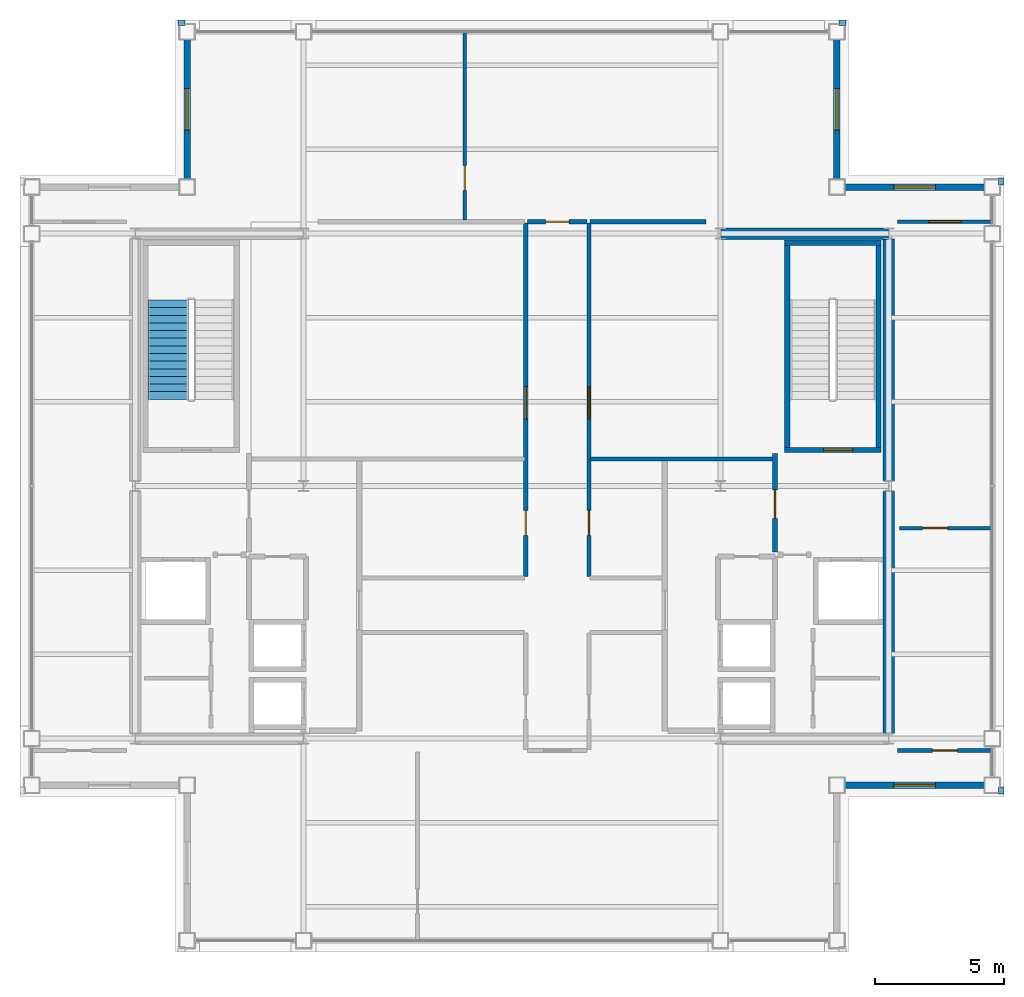
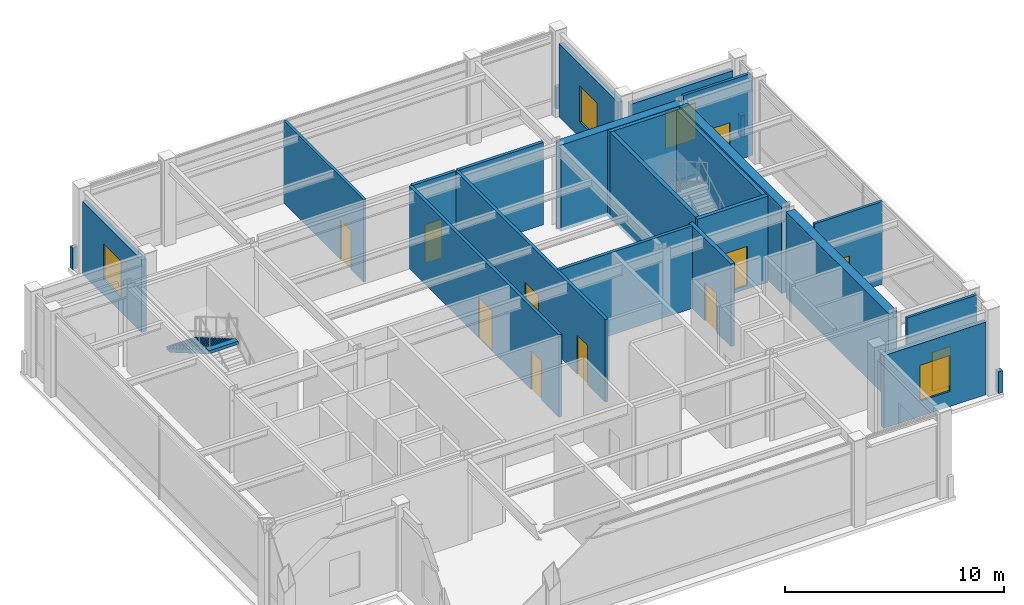
# One storey, part 19 of 21: 25 walls, 11 doors, 4 windows, 1 stair flight, 15 openings, 1 element without a shape of its own.
"""IFC4 building model written with IfcOpenShell, lengths in metres."""

from ifc_helpers import new_model, si_unit, direction, frame, frame_2d, origin, place, context, subcontext, project, spatial, polyline, rectangle, outline, extrude, material, layer, layer_set, type_object, element, fill, aggregate, save


model = new_model("IFC4")

# Units and contexts
model_context = context("Model", 3, precision=1e-05, world=origin(), true_north=direction((0.0, 1.0)))
body_context = subcontext(model_context, "Body", "Model", "MODEL_VIEW")
ifc_project = project(units=[si_unit("LENGTHUNIT", "METRE"), si_unit("AREAUNIT", "SQUARE_METRE"), si_unit("VOLUMEUNIT", "CUBIC_METRE"), si_unit("PLANEANGLEUNIT", "RADIAN"), si_unit("MASSUNIT", "GRAM", prefix="KILO")], contexts=[model_context])

# Site, building, storey
site_placement = place(None, origin())
site = spatial("IfcSite", under=ifc_project, at=site_placement, CompositionType="ELEMENT")
building_placement = place(site_placement, origin())
building = spatial("IfcBuilding", under=site, at=building_placement, Name="Brelmoor Portico Tower", CompositionType="ELEMENT")
storey_placement = place(building_placement, frame((0.0, 0.0, 284.39990234375)))
storey = spatial("IfcBuildingStorey", under=building, at=storey_placement, Name="L75", CompositionType="ELEMENT", Elevation=284.39990234375)

# Walls
ifc_material_1 = material(Name="Concrete C50", Category="concrete")
ifc_layer_1 = layer(ifc_material_1, 0.449951171875)
ifc_layer_set_1 = layer_set([ifc_layer_1], Name="Concrete C50")
wall_type_1 = type_object("IfcWallType", Name="WL-CORE-450", PredefinedType="SHEAR", material=ifc_layer_set_1)
wall_1_placement = place(storey_placement, frame((8.070068359375, 9.75, -0.199951171875), z_axis=(0.0, 0.0, 1.0), x_axis=(1.0, 0.0, 0.0)))
element("IfcWall", 1, at=wall_1_placement, inside=storey, type_object=wall_type_1, Name="L75 EC North Shear Wall", PredefinedType="SHEAR", context=body_context, shape_type="SweptSolid", body=[
    extrude(rectangle(XDim=6.4599609375, YDim=0.449951171875, at=frame_2d((3.22998046875, 0.0))), origin(), (0.0, 0.0, 1.0), 4.800048828125),
])
for number, where, z_axis, x_axis, name in (
    (2, (14.550048828125, -9.550048828125, -0.199951171875), (0.0, 0.0, 1.0), (0.0, 1.0, 0.0), "L75 EC Outer South Shear Wall"),
    (3, (14.550048828125, 0.199951171875, -0.199951171875), (0.0, 0.0, 1.0), (0.0, 1.0, 0.0), "L75 EC Outer North Shear Wall"),
):
    element("IfcWall", number, at=place(storey_placement, frame(where, z_axis=z_axis, x_axis=x_axis)), inside=storey, type_object=wall_type_1, Name=name, PredefinedType="SHEAR", context=body_context, shape_type="SweptSolid", body=[
        extrude(rectangle(XDim=9.35009765625, YDim=0.449951171875, at=frame_2d((4.675048828125, 0.0))), origin(), (0.0, 0.0, 1.0), 4.800048828125),
    ])

# Wall, opening, window
ifc_material_2 = material(Name="Precast Concrete C40 Insulated Facade Wall", Category="concrete")
ifc_layer_2 = layer(ifc_material_2, 0.25)
ifc_layer_set_2 = layer_set([ifc_layer_2], Name="Precast Concrete C40 Insulated Facade Wall")
wall_type_2 = type_object("IfcWallType", Name="WL-EXT-250", PredefinedType="STANDARD", material=ifc_layer_set_2)
wall_2_placement = place(storey_placement, frame((12.860107421875, -11.550048828125, 0.0), z_axis=(0.0, 0.0, 1.0), x_axis=(1.0, 0.0, 0.0)))
wall_2 = element("IfcWall", 4, at=wall_2_placement, inside=storey, type_object=wall_type_2, Name="L75 Corner Notch Facade Wall NSEH1", PredefinedType="STANDARD", context=body_context, shape_type="SweptSolid", body=[
    extrude(rectangle(XDim=5.3798828125, YDim=0.25, at=frame_2d((2.68994140625, 0.0))), origin(), (0.0, 0.0, 1.0), 4.050048828125),
])
opening_1_placement = place(wall_2_placement, frame((1.889892578125, 0.0, 0.85009765625)))
opening_1 = element("IfcOpeningElement", 5, at=opening_1_placement, cuts=wall_2, Name="Opening W-01", PredefinedType="OPENING", context=body_context, shape_type="SweptSolid", body=[
    extrude(rectangle(XDim=1.60009765625, YDim=2.0, at=frame_2d((0.800048828125, 1.0))), frame((0.0, 0.135009765625, 0.0), z_axis=(0.0, -1.0, 0.0), x_axis=(1.0, 0.0, 0.0)), (0.0, 0.0, 1.0), 0.27001953125),
])
ifc_material_3 = material(Name="Thermally Broken Aluminium Low-E Window", Category="aluminium")
window_type = type_object("IfcWindowType", Name="WN-NOTCH-1600x2000", PartitioningType="SINGLE_PANEL", PredefinedType="WINDOW", material=ifc_material_3)
window_1_placement = place(opening_1_placement, origin())
window_1 = element("IfcWindow", 6, at=window_1_placement, inside=storey, type_object=window_type, Name="L75 Corner Notch Window NSEH1", OverallHeight=2.0, OverallWidth=1.60009765625, PartitioningType="SINGLE_PANEL", PredefinedType="WINDOW", context=body_context, shape_type="SweptSolid", body=[
    extrude(rectangle(XDim=1.60009765625, YDim=2.0, at=frame_2d((0.800048828125, 1.0))), frame((0.0, 0.030029296875, 0.0), z_axis=(0.0, -1.0, 0.0), x_axis=(1.0, 0.0, 0.0)), (0.0, 0.0, 1.0), 0.06005859375),
])
fill(opening_1, window_1)

wall_3_placement = place(storey_placement, frame((-12.550048828125, 11.860107421875, 0.0), z_axis=(0.0, 0.0, 1.0), x_axis=(0.0, 1.0, 0.0)))
wall_3 = element("IfcWall", 7, at=wall_3_placement, inside=storey, type_object=wall_type_2, Name="L75 Corner Notch Facade Wall NNWV1", PredefinedType="STANDARD", context=body_context, shape_type="SweptSolid", body=[
    extrude(rectangle(XDim=5.3798828125, YDim=0.25, at=frame_2d((2.68994140625, 0.0))), origin(), (0.0, 0.0, 1.0), 4.050048828125),
])
opening_2_placement = place(wall_3_placement, frame((1.889892578125, 0.0, 0.85009765625)))
opening_2 = element("IfcOpeningElement", 8, at=opening_2_placement, cuts=wall_3, Name="Opening W-01", PredefinedType="OPENING", context=body_context, shape_type="SweptSolid", body=[
    extrude(rectangle(XDim=1.60009765625, YDim=2.0, at=frame_2d((0.800048828125, 1.0))), frame((0.0, 0.135009765625, 0.0), z_axis=(0.0, -1.0, 0.0), x_axis=(1.0, 0.0, 0.0)), (0.0, 0.0, 1.0), 0.27001953125),
])
window_2_placement = place(opening_2_placement, origin())
window_2 = element("IfcWindow", 9, at=window_2_placement, inside=storey, type_object=window_type, Name="L75 Corner Notch Window NNWV1", OverallHeight=2.0, OverallWidth=1.60009765625, PartitioningType="SINGLE_PANEL", PredefinedType="WINDOW", context=body_context, shape_type="SweptSolid", body=[
    extrude(rectangle(XDim=1.60009765625, YDim=2.0, at=frame_2d((0.800048828125, 1.0))), frame((0.0, 0.030029296875, 0.0), z_axis=(0.0, -1.0, 0.0), x_axis=(1.0, 0.0, 0.0)), (0.0, 0.0, 1.0), 0.06005859375),
])
fill(opening_2, window_2)

wall_4_placement = place(storey_placement, frame((12.860107421875, 11.550048828125, 0.0), z_axis=(0.0, 0.0, 1.0), x_axis=(1.0, 0.0, 0.0)))
wall_4 = element("IfcWall", 10, at=wall_4_placement, inside=storey, type_object=wall_type_2, Name="L75 Corner Notch Facade Wall NNEH1", PredefinedType="STANDARD", context=body_context, shape_type="SweptSolid", body=[
    extrude(rectangle(XDim=5.3798828125, YDim=0.25, at=frame_2d((2.68994140625, 0.0))), origin(), (0.0, 0.0, 1.0), 4.050048828125),
])
opening_3_placement = place(wall_4_placement, frame((1.889892578125, 0.0, 0.85009765625)))
opening_3 = element("IfcOpeningElement", 11, at=opening_3_placement, cuts=wall_4, Name="Opening W-01", PredefinedType="OPENING", context=body_context, shape_type="SweptSolid", body=[
    extrude(rectangle(XDim=1.60009765625, YDim=2.0, at=frame_2d((0.800048828125, 1.0))), frame((0.0, 0.135009765625, 0.0), z_axis=(0.0, -1.0, 0.0), x_axis=(1.0, 0.0, 0.0)), (0.0, 0.0, 1.0), 0.27001953125),
])
window_3_placement = place(opening_3_placement, origin())
window_3 = element("IfcWindow", 12, at=window_3_placement, inside=storey, type_object=window_type, Name="L75 Corner Notch Window NNEH1", OverallHeight=2.0, OverallWidth=1.60009765625, PartitioningType="SINGLE_PANEL", PredefinedType="WINDOW", context=body_context, shape_type="SweptSolid", body=[
    extrude(rectangle(XDim=1.60009765625, YDim=2.0, at=frame_2d((0.800048828125, 1.0))), frame((0.0, 0.030029296875, 0.0), z_axis=(0.0, -1.0, 0.0), x_axis=(1.0, 0.0, 0.0)), (0.0, 0.0, 1.0), 0.06005859375),
])
fill(opening_3, window_3)

wall_5_placement = place(storey_placement, frame((12.550048828125, 11.860107421875, 0.0), z_axis=(0.0, 0.0, 1.0), x_axis=(0.0, 1.0, 0.0)))
wall_5 = element("IfcWall", 13, at=wall_5_placement, inside=storey, type_object=wall_type_2, Name="L75 Corner Notch Facade Wall NNEV1", PredefinedType="STANDARD", context=body_context, shape_type="SweptSolid", body=[
    extrude(rectangle(XDim=5.3798828125, YDim=0.25, at=frame_2d((2.68994140625, 0.0))), origin(), (0.0, 0.0, 1.0), 4.050048828125),
])
opening_4_placement = place(wall_5_placement, frame((1.889892578125, 0.0, 0.85009765625)))
opening_4 = element("IfcOpeningElement", 14, at=opening_4_placement, cuts=wall_5, Name="Opening W-01", PredefinedType="OPENING", context=body_context, shape_type="SweptSolid", body=[
    extrude(rectangle(XDim=1.60009765625, YDim=2.0, at=frame_2d((0.800048828125, 1.0))), frame((0.0, 0.135009765625, 0.0), z_axis=(0.0, -1.0, 0.0), x_axis=(1.0, 0.0, 0.0)), (0.0, 0.0, 1.0), 0.27001953125),
])
window_4_placement = place(opening_4_placement, origin())
window_4 = element("IfcWindow", 15, at=window_4_placement, inside=storey, type_object=window_type, Name="L75 Corner Notch Window NNEV1", OverallHeight=2.0, OverallWidth=1.60009765625, PartitioningType="SINGLE_PANEL", PredefinedType="WINDOW", context=body_context, shape_type="SweptSolid", body=[
    extrude(rectangle(XDim=1.60009765625, YDim=2.0, at=frame_2d((0.800048828125, 1.0))), frame((0.0, 0.030029296875, 0.0), z_axis=(0.0, -1.0, 0.0), x_axis=(1.0, 0.0, 0.0)), (0.0, 0.0, 1.0), 0.06005859375),
])
fill(opening_4, window_4)

# Walls
ifc_material_4 = material(Name="Concrete C40 Parapet Upstand", Category="concrete")
ifc_layer_3 = layer(ifc_material_4, 0.219970703125)
ifc_layer_set_3 = layer_set([ifc_layer_3], Name="Concrete C40 Parapet Upstand")
wall_type_3 = type_object("IfcWallType", Name="WL-PARAPET-220", PredefinedType="PARAPET", material=ifc_layer_set_3)
for number, where, z_axis, x_axis, name in (
    (16, (18.889892578125, -11.889892578125, 0.0), (0.0, 0.0, 1.0), (0.0, 1.0, 0.0), "L75 Chamfer Vertex Parapet Pier SE2"),
    (17, (-12.889892578125, 17.889892578125, 0.0), (0.0, 0.0, 1.0), (1.0, 0.0, 0.0), "L75 Chamfer Vertex Parapet Pier NW1"),
    (18, (12.6201171875, 17.889892578125, 0.0), (0.0, 0.0, 1.0), (1.0, 0.0, 0.0), "L75 Chamfer Vertex Parapet Pier NE1"),
    (19, (18.889892578125, 11.6201171875, 0.0), (0.0, 0.0, 1.0), (0.0, 1.0, 0.0), "L75 Chamfer Vertex Parapet Pier NE2"),
):
    element("IfcWall", number, at=place(storey_placement, frame(where, z_axis=z_axis, x_axis=x_axis)), inside=storey, type_object=wall_type_3, Name=name, PredefinedType="PARAPET", context=body_context, shape_type="SweptSolid", body=[
        extrude(rectangle(XDim=0.269775390625, YDim=0.219970703125, at=frame_2d((0.134765625, 0.0))), origin(), (0.0, 0.0, 1.0), 1.2001953125),
    ])

# Wall, opening, door
ifc_material_5 = material(Name="Insulated Stud Suite Partition", Category="gypsum")
ifc_layer_4 = layer(ifc_material_5, 0.139892578125)
ifc_layer_set_4 = layer_set([ifc_layer_4], Name="Insulated Stud Suite Partition")
wall_type_4 = type_object("IfcWallType", Name="WL-PART-140", PredefinedType="PARTITIONING", material=ifc_layer_set_4)
wall_6_placement = place(storey_placement, frame((-1.82568359375, 10.27001953125, 0.0), z_axis=(0.0, 0.0, 1.0), x_axis=(0.0, 1.0, 0.0)))
wall_6 = element("IfcWall", 20, at=wall_6_placement, inside=storey, type_object=wall_type_4, Name="L75 North Suite Partition 1", PredefinedType="PARTITIONING", context=body_context, shape_type="SweptSolid", body=[
    extrude(rectangle(XDim=7.2900390625, YDim=0.139892578125, at=frame_2d((3.64501953125, 0.0))), origin(), (0.0, 0.0, 1.0), 4.60009765625),
])
opening_5_placement = place(wall_6_placement, frame((1.14990234375, 0.0, 0.0)))
opening_5 = element("IfcOpeningElement", 21, at=opening_5_placement, cuts=wall_6, Name="Opening D-IN2", PredefinedType="OPENING", context=body_context, shape_type="SweptSolid", body=[
    extrude(rectangle(XDim=0.9599609375, YDim=2.179931640625, at=frame_2d((0.47998046875, 1.08984375))), frame((0.0, 0.079833984375, 0.0), z_axis=(0.0, -1.0, 0.0), x_axis=(1.0, 0.0, 0.0)), (0.0, 0.0, 1.0), 0.159912109375),
])
ifc_material_6 = material(Name="Lacquered Timber Suite Door", Category="wood")
door_type_1 = type_object("IfcDoorType", Name="DR-INT-950", OperationType="NOTDEFINED", PredefinedType="DOOR", material=ifc_material_6)
door_1_placement = place(opening_5_placement, origin())
door_1 = element("IfcDoor", 22, at=door_1_placement, inside=storey, type_object=door_type_1, Name="D-3058 L75 North Suite Connecting Door 1", OperationType="SINGLE_SWING_LEFT", OverallHeight=2.179931640625, OverallWidth=0.9599609375, PredefinedType="DOOR", context=body_context, shape_type="SweptSolid", body=[
    extrude(rectangle(XDim=0.9599609375, YDim=2.179931640625, at=frame_2d((0.47998046875, 1.08984375))), frame((0.0, 0.02490234375, 0.0), z_axis=(0.0, -1.0, 0.0), x_axis=(1.0, 0.0, 0.0)), (0.0, 0.0, 1.0), 0.050048828125),
])
fill(opening_5, door_1)

wall_7_placement = place(storey_placement, frame((14.8798828125, 10.2099609375, 0.0), z_axis=(0.0, 0.0, 1.0), x_axis=(1.0, 0.0, 0.0)))
wall_7 = element("IfcWall", 23, at=wall_7_placement, inside=storey, type_object=wall_type_4, Name="L75 North Wing Suite Wall ER", PredefinedType="PARTITIONING", context=body_context, shape_type="SweptSolid", body=[
    extrude(rectangle(XDim=3.68017578125, YDim=0.139892578125, at=frame_2d((1.840087890625, 0.0))), origin(), (0.0, 0.0, 1.0), 4.60009765625),
])
opening_6_placement = place(wall_7_placement, frame((1.219970703125, 0.0, 0.0)))
opening_6 = element("IfcOpeningElement", 24, at=opening_6_placement, cuts=wall_7, Name="Opening D-SU1", PredefinedType="OPENING", context=body_context, shape_type="SweptSolid", body=[
    extrude(rectangle(XDim=1.239990234375, YDim=2.239990234375, at=frame_2d((0.6201171875, 1.1201171875))), frame((0.0, 0.079833984375, 0.0), z_axis=(0.0, -1.0, 0.0), x_axis=(1.0, 0.0, 0.0)), (0.0, 0.0, 1.0), 0.159912109375),
])
ifc_material_7 = material(Name="Glazed Timber Executive Suite Door", Category="wood")
door_type_2 = type_object("IfcDoorType", Name="DR-SUITE-1200", OperationType="NOTDEFINED", PredefinedType="DOOR", material=ifc_material_7)
door_2_placement = place(opening_6_placement, origin())
door_2 = element("IfcDoor", 25, at=door_2_placement, inside=storey, type_object=door_type_2, Name="D-3059 L75 ER Wing Suite Connecting Door", OperationType="SINGLE_SWING_RIGHT", OverallHeight=2.239990234375, OverallWidth=1.239990234375, PredefinedType="DOOR", context=body_context, shape_type="SweptSolid", body=[
    extrude(rectangle(XDim=1.239990234375, YDim=2.239990234375, at=frame_2d((0.6201171875, 1.1201171875))), frame((0.0, 0.02490234375, 0.0), z_axis=(0.0, -1.0, 0.0), x_axis=(1.0, 0.0, 0.0)), (0.0, 0.0, 1.0), 0.050048828125),
])
fill(opening_6, door_2)

wall_8_placement = place(storey_placement, frame((14.8798828125, -10.2099609375, 0.0), z_axis=(0.0, 0.0, 1.0), x_axis=(1.0, 0.0, 0.0)))
wall_8 = element("IfcWall", 26, at=wall_8_placement, inside=storey, type_object=wall_type_4, Name="L75 South Wing Closure ER", PredefinedType="PARTITIONING", context=body_context, shape_type="SweptSolid", body=[
    extrude(rectangle(XDim=3.68017578125, YDim=0.139892578125, at=frame_2d((1.840087890625, 0.0))), origin(), (0.0, 0.0, 1.0), 4.60009765625),
])
opening_7_placement = place(wall_8_placement, frame((1.360107421875, 0.0, 0.0)))
opening_7 = element("IfcOpeningElement", 27, at=opening_7_placement, cuts=wall_8, Name="Opening D-IN2", PredefinedType="OPENING", context=body_context, shape_type="SweptSolid", body=[
    extrude(rectangle(XDim=0.9599609375, YDim=2.179931640625, at=frame_2d((0.47998046875, 1.08984375))), frame((0.0, 0.079833984375, 0.0), z_axis=(0.0, -1.0, 0.0), x_axis=(1.0, 0.0, 0.0)), (0.0, 0.0, 1.0), 0.159912109375),
])
door_3_placement = place(opening_7_placement, origin())
door_3 = element("IfcDoor", 28, at=door_3_placement, inside=storey, type_object=door_type_1, Name="D-3065 L75 ER Wing South Suite Door", OperationType="SINGLE_SWING_RIGHT", OverallHeight=2.179931640625, OverallWidth=0.9599609375, PredefinedType="DOOR", context=body_context, shape_type="SweptSolid", body=[
    extrude(rectangle(XDim=0.9599609375, YDim=2.179931640625, at=frame_2d((0.47998046875, 1.08984375))), frame((0.0, 0.02490234375, 0.0), z_axis=(0.0, -1.0, 0.0), x_axis=(1.0, 0.0, 0.0)), (0.0, 0.0, 1.0), 0.050048828125),
])
fill(opening_7, door_3)

wall_9_placement = place(storey_placement, frame((14.9599609375, -1.620849609375, 0.0), z_axis=(0.0, 0.0, 1.0), x_axis=(1.0, 0.0, 0.0)))
wall_9 = element("IfcWall", 29, at=wall_9_placement, inside=storey, type_object=wall_type_4, Name="L75 E Wing Partition 1", PredefinedType="PARTITIONING", context=body_context, shape_type="SweptSolid", body=[
    extrude(rectangle(XDim=3.60009765625, YDim=0.139892578125, at=frame_2d((1.800048828125, 0.0))), origin(), (0.0, 0.0, 1.0), 4.60009765625),
])
opening_8_placement = place(wall_9_placement, frame((0.89990234375, 0.0, 0.0)))
opening_8 = element("IfcOpeningElement", 30, at=opening_8_placement, cuts=wall_9, Name="Opening D-IN2", PredefinedType="OPENING", context=body_context, shape_type="SweptSolid", body=[
    extrude(rectangle(XDim=0.9599609375, YDim=2.179931640625, at=frame_2d((0.47998046875, 1.08984375))), frame((0.0, 0.079833984375, 0.0), z_axis=(0.0, -1.0, 0.0), x_axis=(1.0, 0.0, 0.0)), (0.0, 0.0, 1.0), 0.159912109375),
])
door_4_placement = place(opening_8_placement, origin())
door_4 = element("IfcDoor", 31, at=door_4_placement, inside=storey, type_object=door_type_1, Name="D-3067 L75 E Wing Suite Connecting Door 1", OperationType="SINGLE_SWING_LEFT", OverallHeight=2.179931640625, OverallWidth=0.9599609375, PredefinedType="DOOR", context=body_context, shape_type="SweptSolid", body=[
    extrude(rectangle(XDim=0.9599609375, YDim=2.179931640625, at=frame_2d((0.47998046875, 1.08984375))), frame((0.0, 0.02490234375, 0.0), z_axis=(0.0, -1.0, 0.0), x_axis=(1.0, 0.0, 0.0)), (0.0, 0.0, 1.0), 0.050048828125),
])
fill(opening_8, door_4)

# Wall, openings, doors
ifc_material_8 = material(Name="Twin-Frame Acoustic Partition", Category="gypsum")
ifc_layer_5 = layer(ifc_material_8, 0.159912109375)
ifc_layer_set_5 = layer_set([ifc_layer_5], Name="Twin-Frame Acoustic Partition")
wall_type_5 = type_object("IfcWallType", Name="WL-PART-160", PredefinedType="PARTITIONING", material=ifc_layer_set_5)
wall_10_placement = place(storey_placement, frame((0.530029296875, -3.5, 0.0), z_axis=(0.0, 0.0, 1.0), x_axis=(0.0, 1.0, 0.0)))
wall_10 = element("IfcWall", 32, at=wall_10_placement, inside=storey, type_object=wall_type_5, Name="L75 Central Cross West Wall", PredefinedType="PARTITIONING", context=body_context, shape_type="SweptSolid", body=[
    extrude(rectangle(XDim=13.669921875, YDim=0.159912109375, at=frame_2d((6.8349609375, 0.0))), origin(), (0.0, 0.0, 1.0), 4.60009765625),
])
opening_9_placement = place(wall_10_placement, frame((6.10009765625, 0.0, 0.0)))
opening_9 = element("IfcOpeningElement", 33, at=opening_9_placement, cuts=wall_10, Name="Opening D-SU1", PredefinedType="OPENING", context=body_context, shape_type="SweptSolid", body=[
    extrude(rectangle(XDim=1.239990234375, YDim=2.239990234375, at=frame_2d((0.6201171875, 1.1201171875))), frame((0.0, 0.08984375, 0.0), z_axis=(0.0, -1.0, 0.0), x_axis=(1.0, 0.0, 0.0)), (0.0, 0.0, 1.0), 0.179931640625),
])
opening_10_placement = place(wall_10_placement, frame((1.60009765625, 0.0, 0.0)))
opening_10 = element("IfcOpeningElement", 34, at=opening_10_placement, cuts=wall_10, Name="Opening D-IN2", PredefinedType="OPENING", context=body_context, shape_type="SweptSolid", body=[
    extrude(rectangle(XDim=0.9599609375, YDim=2.179931640625, at=frame_2d((0.47998046875, 1.08984375))), frame((0.0, 0.08984375, 0.0), z_axis=(0.0, -1.0, 0.0), x_axis=(1.0, 0.0, 0.0)), (0.0, 0.0, 1.0), 0.179931640625),
])
door_5_placement = place(opening_10_placement, origin())
door_5 = element("IfcDoor", 35, at=door_5_placement, inside=storey, type_object=door_type_1, Name="D-3043 L75 Staff Pantry Door", OperationType="SINGLE_SWING_RIGHT", OverallHeight=2.179931640625, OverallWidth=0.9599609375, PredefinedType="DOOR", context=body_context, shape_type="SweptSolid", body=[
    extrude(rectangle(XDim=0.9599609375, YDim=2.179931640625, at=frame_2d((0.47998046875, 1.08984375))), frame((0.0, 0.02490234375, 0.0), z_axis=(0.0, -1.0, 0.0), x_axis=(1.0, 0.0, 0.0)), (0.0, 0.0, 1.0), 0.050048828125),
])
fill(opening_10, door_5)
door_6_placement = place(opening_9_placement, origin())
door_6 = element("IfcDoor", 36, at=door_6_placement, inside=storey, type_object=door_type_2, Name="D-3044 L75 West Reclaimed Studio Door", OperationType="SINGLE_SWING_LEFT", OverallHeight=2.239990234375, OverallWidth=1.239990234375, PredefinedType="DOOR", context=body_context, shape_type="SweptSolid", body=[
    extrude(rectangle(XDim=1.239990234375, YDim=2.239990234375, at=frame_2d((0.6201171875, 1.1201171875))), frame((0.0, 0.02490234375, 0.0), z_axis=(0.0, -1.0, 0.0), x_axis=(1.0, 0.0, 0.0)), (0.0, 0.0, 1.0), 0.050048828125),
])
fill(opening_9, door_6)

# Wall
wall_11_placement = place(storey_placement, frame((3.010009765625, 1.050048828125, 0.0), z_axis=(0.0, 0.0, 1.0), x_axis=(1.0, 0.0, 0.0)))
element("IfcWall", 37, at=wall_11_placement, inside=storey, type_object=wall_type_5, Name="L75 East Suite South Wall", PredefinedType="PARTITIONING", context=body_context, shape_type="SweptSolid", body=[
    extrude(rectangle(XDim=7.050048828125, YDim=0.159912109375, at=frame_2d((3.52490234375, 0.0))), origin(), (0.0, 0.0, 1.0), 4.60009765625),
])

# Wall, openings, doors
wall_12_placement = place(storey_placement, frame((2.969970703125, -3.5, 0.0), z_axis=(0.0, 0.0, 1.0), x_axis=(0.0, 1.0, 0.0)))
wall_12 = element("IfcWall", 38, at=wall_12_placement, inside=storey, type_object=wall_type_5, Name="L75 Central Cross East Wall", PredefinedType="PARTITIONING", context=body_context, shape_type="SweptSolid", body=[
    extrude(rectangle(XDim=13.669921875, YDim=0.159912109375, at=frame_2d((6.8349609375, 0.0))), origin(), (0.0, 0.0, 1.0), 4.60009765625),
])
opening_11_placement = place(wall_12_placement, frame((6.10009765625, 0.0, 0.0)))
opening_11 = element("IfcOpeningElement", 39, at=opening_11_placement, cuts=wall_12, Name="Opening D-SU1", PredefinedType="OPENING", context=body_context, shape_type="SweptSolid", body=[
    extrude(rectangle(XDim=1.239990234375, YDim=2.239990234375, at=frame_2d((0.6201171875, 1.1201171875))), frame((0.0, 0.08984375, 0.0), z_axis=(0.0, -1.0, 0.0), x_axis=(1.0, 0.0, 0.0)), (0.0, 0.0, 1.0), 0.179931640625),
])
opening_12_placement = place(wall_12_placement, frame((1.60009765625, 0.0, 0.0)))
opening_12 = element("IfcOpeningElement", 40, at=opening_12_placement, cuts=wall_12, Name="Opening D-IN2", PredefinedType="OPENING", context=body_context, shape_type="SweptSolid", body=[
    extrude(rectangle(XDim=0.9599609375, YDim=2.179931640625, at=frame_2d((0.47998046875, 1.08984375))), frame((0.0, 0.08984375, 0.0), z_axis=(0.0, -1.0, 0.0), x_axis=(1.0, 0.0, 0.0)), (0.0, 0.0, 1.0), 0.179931640625),
])
door_7_placement = place(opening_12_placement, origin())
door_7 = element("IfcDoor", 41, at=door_7_placement, inside=storey, type_object=door_type_1, Name="D-3039 L75 Client Project Office Door", OperationType="SINGLE_SWING_RIGHT", OverallHeight=2.179931640625, OverallWidth=0.9599609375, PredefinedType="DOOR", context=body_context, shape_type="SweptSolid", body=[
    extrude(rectangle(XDim=0.9599609375, YDim=2.179931640625, at=frame_2d((0.47998046875, 1.08984375))), frame((0.0, 0.02490234375, 0.0), z_axis=(0.0, -1.0, 0.0), x_axis=(1.0, 0.0, 0.0)), (0.0, 0.0, 1.0), 0.050048828125),
])
fill(opening_12, door_7)
door_8_placement = place(opening_11_placement, origin())
door_8 = element("IfcDoor", 42, at=door_8_placement, inside=storey, type_object=door_type_2, Name="D-3040 L75 East Reclaimed Studio Door", OperationType="SINGLE_SWING_LEFT", OverallHeight=2.239990234375, OverallWidth=1.239990234375, PredefinedType="DOOR", context=body_context, shape_type="SweptSolid", body=[
    extrude(rectangle(XDim=1.239990234375, YDim=2.239990234375, at=frame_2d((0.6201171875, 1.1201171875))), frame((0.0, 0.02490234375, 0.0), z_axis=(0.0, -1.0, 0.0), x_axis=(1.0, 0.0, 0.0)), (0.0, 0.0, 1.0), 0.050048828125),
])
fill(opening_11, door_8)

# Wall
wall_13_placement = place(storey_placement, frame((3.010009765625, 10.2099609375, 0.0), z_axis=(0.0, 0.0, 1.0), x_axis=(1.0, 0.0, 0.0)))
element("IfcWall", 43, at=wall_13_placement, inside=storey, type_object=wall_type_5, Name="L75 East Suite North Wall", PredefinedType="PARTITIONING", context=body_context, shape_type="SweptSolid", body=[
    extrude(rectangle(XDim=4.489990234375, YDim=0.159912109375, at=frame_2d((2.2451171875, 0.0))), origin(), (0.0, 0.0, 1.0), 4.60009765625),
])

# Wall, opening, door
wall_14_placement = place(storey_placement, frame((0.60009765625, 10.2099609375, 0.0), z_axis=(0.0, 0.0, 1.0), x_axis=(1.0, 0.0, 0.0)))
wall_14 = element("IfcWall", 44, at=wall_14_placement, inside=storey, type_object=wall_type_5, Name="L75 North Corridor Partition", PredefinedType="PARTITIONING", context=body_context, shape_type="SweptSolid", body=[
    extrude(rectangle(XDim=2.2998046875, YDim=0.159912109375, at=frame_2d((1.14990234375, 0.0))), origin(), (0.0, 0.0, 1.0), 4.60009765625),
])
opening_13_placement = place(wall_14_placement, frame((0.699951171875, 0.0, 0.0)))
opening_13 = element("IfcOpeningElement", 45, at=opening_13_placement, cuts=wall_14, Name="Opening D-IN1", PredefinedType="OPENING", context=body_context, shape_type="SweptSolid", body=[
    extrude(rectangle(XDim=0.89990234375, YDim=2.14990234375, at=frame_2d((0.449951171875, 1.074951171875))), frame((0.0, 0.08984375, 0.0), z_axis=(0.0, -1.0, 0.0), x_axis=(1.0, 0.0, 0.0)), (0.0, 0.0, 1.0), 0.179931640625),
])
door_type_3 = type_object("IfcDoorType", Name="DR-INT-900", OperationType="NOTDEFINED", PredefinedType="DOOR", material=ifc_material_6)
door_9_placement = place(opening_13_placement, origin())
door_9 = element("IfcDoor", 46, at=door_9_placement, inside=storey, type_object=door_type_3, Name="D-3057 L75 North Public Exhibition Studio 2 Door", OperationType="SINGLE_SWING_RIGHT", OverallHeight=2.14990234375, OverallWidth=0.89990234375, PredefinedType="DOOR", context=body_context, shape_type="SweptSolid", body=[
    extrude(rectangle(XDim=0.89990234375, YDim=2.14990234375, at=frame_2d((0.449951171875, 1.074951171875))), frame((0.0, 0.02490234375, 0.0), z_axis=(0.0, -1.0, 0.0), x_axis=(1.0, 0.0, 0.0)), (0.0, 0.0, 1.0), 0.050048828125),
])
fill(opening_13, door_9)

ifc_material_9 = material(Name="Double-Stud Gypsum Fire Partition", Category="gypsum")
ifc_layer_6 = layer(ifc_material_9, 0.199951171875)
ifc_layer_set_6 = layer_set([ifc_layer_6], Name="Double-Stud Gypsum Fire Partition")
wall_type_6 = type_object("IfcWallType", Name="WL-PART-200", PredefinedType="PARTITIONING", material=ifc_layer_set_6)
wall_15_placement = place(storey_placement, frame((10.159912109375, -2.550048828125, 0.0), z_axis=(0.0, 0.0, 1.0), x_axis=(0.0, 1.0, 0.0)))
wall_15 = element("IfcWall", 47, at=wall_15_placement, inside=storey, type_object=wall_type_6, Name="L75 E Firefighting Lobby Wall", PredefinedType="PARTITIONING", context=body_context, shape_type="SweptSolid", body=[
    extrude(rectangle(XDim=3.800048828125, YDim=0.199951171875, at=frame_2d((1.89990234375, 0.0))), origin(), (0.0, 0.0, 1.0), 4.60009765625),
])
opening_14_placement = place(wall_15_placement, frame((1.300048828125, 0.0, 0.0)))
opening_14 = element("IfcOpeningElement", 48, at=opening_14_placement, cuts=wall_15, Name="Opening D-FR1", PredefinedType="OPENING", context=body_context, shape_type="SweptSolid", body=[
    extrude(rectangle(XDim=1.10009765625, YDim=2.14990234375, at=frame_2d((0.550048828125, 1.074951171875))), frame((0.0, 0.10986328125, 0.0), z_axis=(0.0, -1.0, 0.0), x_axis=(1.0, 0.0, 0.0)), (0.0, 0.0, 1.0), 0.219970703125),
])
ifc_material_10 = material(Name="Painted Galvanised Steel Fire Door", Category="steel")
door_type_4 = type_object("IfcDoorType", Name="DR-FIRE-1100", OperationType="NOTDEFINED", PredefinedType="DOOR", material=ifc_material_10)
door_10_placement = place(opening_14_placement, origin())
door_10 = element("IfcDoor", 49, at=door_10_placement, inside=storey, type_object=door_type_4, Name="D-3053 L75 E Firefighting Lobby Door", OperationType="SINGLE_SWING_RIGHT", OverallHeight=2.14990234375, OverallWidth=1.10009765625, PredefinedType="DOOR", context=body_context, shape_type="SweptSolid", body=[
    extrude(rectangle(XDim=1.10009765625, YDim=2.14990234375, at=frame_2d((0.550048828125, 1.074951171875))), frame((0.0, 0.02490234375, 0.0), z_axis=(0.0, -1.0, 0.0), x_axis=(1.0, 0.0, 0.0)), (0.0, 0.0, 1.0), 0.050048828125),
])
fill(opening_14, door_10)

# Wall
ifc_material_11 = material(Name="Concrete C40", Category="concrete")
ifc_layer_7 = layer(ifc_material_11, 0.199951171875)
ifc_layer_set_7 = layer_set([ifc_layer_7], Name="Concrete C40")
wall_type_7 = type_object("IfcWallType", Name="WL-SHAFT-RC200", PredefinedType="SOLIDWALL", material=ifc_layer_set_7)
wall_16_placement = place(storey_placement, frame((14.14990234375, 1.5, -0.199951171875), z_axis=(0.0, 0.0, 1.0), x_axis=(0.0, 1.0, 0.0)))
element("IfcWall", 50, at=wall_16_placement, inside=storey, type_object=wall_type_7, Name="L75 ST-E Structural Stair Wall Outer", PredefinedType="SOLIDWALL", context=body_context, shape_type="SweptSolid", body=[
    extrude(rectangle(XDim=7.800048828125, YDim=0.199951171875, at=frame_2d((3.89990234375, 0.0))), origin(), (0.0, 0.0, 1.0), 4.800048828125),
])

# Wall, opening, door
wall_17_placement = place(storey_placement, frame((10.530029296875, 1.39990234375, -0.199951171875), z_axis=(0.0, 0.0, 1.0), x_axis=(1.0, 0.0, 0.0)))
wall_17 = element("IfcWall", 51, at=wall_17_placement, inside=storey, type_object=wall_type_7, Name="L75 ST-E Structural Stair Wall S", PredefinedType="SOLIDWALL", context=body_context, shape_type="SweptSolid", body=[
    extrude(rectangle(XDim=3.719970703125, YDim=0.199951171875, at=frame_2d((1.85986328125, 0.0))), origin(), (0.0, 0.0, 1.0), 4.800048828125),
])
opening_15_placement = place(wall_17_placement, frame((1.5, 0.0, 0.199951171875)))
opening_15 = element("IfcOpeningElement", 52, at=opening_15_placement, cuts=wall_17, Name="Opening D-ST1", PredefinedType="OPENING", context=body_context, shape_type="SweptSolid", body=[
    extrude(rectangle(XDim=1.1201171875, YDim=2.179931640625, at=frame_2d((0.56005859375, 1.08984375))), frame((0.0, 0.10986328125, 0.0), z_axis=(0.0, -1.0, 0.0), x_axis=(1.0, 0.0, 0.0)), (0.0, 0.0, 1.0), 0.219970703125),
])
door_type_5 = type_object("IfcDoorType", Name="DR-STAIR-1100", OperationType="NOTDEFINED", PredefinedType="DOOR", material=ifc_material_10)
door_11_placement = place(opening_15_placement, origin())
door_11 = element("IfcDoor", 53, at=door_11_placement, inside=storey, type_object=door_type_5, Name="D-3063 L75 ST-E Protected Exit Stair Door", OperationType="SINGLE_SWING_RIGHT", OverallHeight=2.179931640625, OverallWidth=1.1201171875, PredefinedType="DOOR", context=body_context, shape_type="SweptSolid", body=[
    extrude(rectangle(XDim=1.1201171875, YDim=2.179931640625, at=frame_2d((0.56005859375, 1.08984375))), frame((0.0, 0.02490234375, 0.0), z_axis=(0.0, -1.0, 0.0), x_axis=(1.0, 0.0, 0.0)), (0.0, 0.0, 1.0), 0.050048828125),
])
fill(opening_15, door_11)

# Walls
wall_18_placement = place(storey_placement, frame((10.530029296875, 9.39990234375, -0.199951171875), z_axis=(0.0, 0.0, 1.0), x_axis=(1.0, 0.0, 0.0)))
element("IfcWall", 54, at=wall_18_placement, inside=storey, type_object=wall_type_7, Name="L75 ST-E Structural Stair Wall N", PredefinedType="SOLIDWALL", context=body_context, shape_type="SweptSolid", body=[
    extrude(rectangle(XDim=3.719970703125, YDim=0.199951171875, at=frame_2d((1.85986328125, 0.0))), origin(), (0.0, 0.0, 1.0), 4.800048828125),
])
wall_19_placement = place(storey_placement, frame((10.6298828125, 1.5, -0.199951171875), z_axis=(0.0, 0.0, 1.0), x_axis=(0.0, 1.0, 0.0)))
element("IfcWall", 55, at=wall_19_placement, inside=storey, type_object=wall_type_7, Name="L75 ST-E Structural Stair Wall Inner", PredefinedType="SOLIDWALL", context=body_context, shape_type="SweptSolid", body=[
    extrude(rectangle(XDim=7.800048828125, YDim=0.199951171875, at=frame_2d((3.89990234375, 0.0))), origin(), (0.0, 0.0, 1.0), 4.800048828125),
])

# Stair, stair flight
stair_type = type_object("IfcStairType", Name="ST-CORE-W", PredefinedType="HALF_TURN_STAIR", material=ifc_material_11)
stair_placement = place(storey_placement, origin())
stair = element("IfcStair", 56, at=stair_placement, inside=storey, type_object=stair_type, Name="L75 Protected Core Exit Stair ST-W", PredefinedType="HALF_TURN_STAIR")
stair_flight_type = type_object("IfcStairFlightType", Name="SF-CORE-1850", PredefinedType="STRAIGHT", material=ifc_material_11)
stair_flight_placement = place(storey_placement, frame((-13.27001953125, 7.18505859375, 2.400146484375), z_axis=(0.0, 0.0, 1.0), x_axis=(0.0, -1.0, 0.0)))
stair_flight = element("IfcStairFlight", 57, at=stair_flight_placement, type_object=stair_flight_type, Name="ST-W flight 2", NumberOfRisers=14, NumberOfTreads=13, PredefinedType="STRAIGHT", RiserHeight=0.171428571, TreadLength=0.295, context=body_context, shape_type="SweptSolid", body=[
    extrude(outline(polyline([(0.0, 0.0), (0.0, 0.17138671875), (0.294921875, 0.17138671875), (0.294921875, 0.3427734375), (0.590087890625, 0.3427734375), (0.590087890625, 0.514404296875), (0.885009765625, 0.514404296875), (0.885009765625, 0.685791015625), (1.179931640625, 0.685791015625), (1.179931640625, 0.857177734375), (1.47509765625, 0.857177734375), (1.47509765625, 1.028564453125), (1.77001953125, 1.028564453125), (1.77001953125, 1.199951171875), (2.06494140625, 1.199951171875), (2.06494140625, 1.371337890625), (2.360107421875, 1.371337890625), (2.360107421875, 1.54296875), (2.655029296875, 1.54296875), (2.655029296875, 1.71435546875), (2.949951171875, 1.71435546875), (2.949951171875, 1.8857421875), (3.2451171875, 1.8857421875), (3.2451171875, 2.05712890625), (3.5400390625, 2.05712890625), (3.5400390625, 2.228515625), (3.8349609375, 2.228515625), (3.8349609375, 2.39990234375), (3.8349609375, 2.05517578125), (0.29833984375, 0.0), (0.0, 0.0)])), frame((0.0, 0.780029296875, 0.0), z_axis=(0.0, -1.0, 0.0), x_axis=(1.0, 0.0, 0.0)), (0.0, 0.0, 1.0), 1.56005859375),
])
aggregate(stair, [stair_flight])

save(model, "model.ifc")
